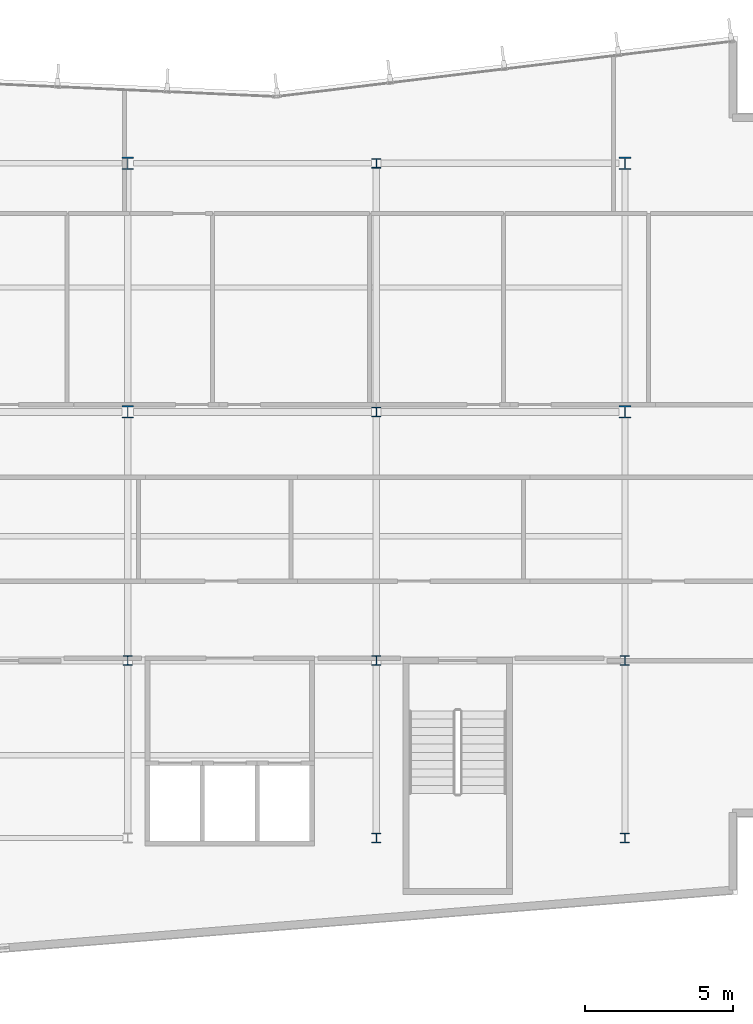
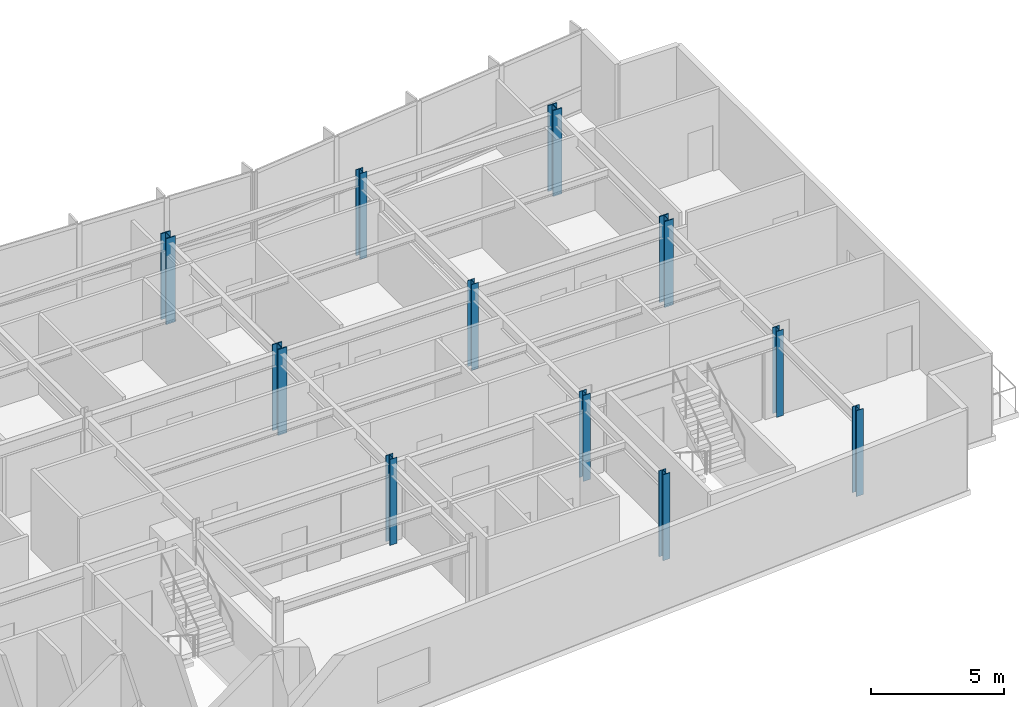
# One storey, part 2 of 17: 11 columns.
"""IFC4 building model written with IfcOpenShell, lengths in metres."""

from ifc_helpers import new_model, si_unit, direction, frame, origin, origin_2d, place, context, subcontext, project, spatial, i_section, extrude, material, material_profile, profile_set, type_object, element, save


model = new_model("IFC4")

# Units and contexts
model_context = context("Model", 3, precision=1e-05, world=origin(), true_north=direction((0.0, 1.0)))
body_context = subcontext(model_context, "Body", "Model", "MODEL_VIEW")
ifc_project = project(units=[si_unit("LENGTHUNIT", "METRE"), si_unit("AREAUNIT", "SQUARE_METRE"), si_unit("VOLUMEUNIT", "CUBIC_METRE"), si_unit("PLANEANGLEUNIT", "RADIAN"), si_unit("MASSUNIT", "GRAM", prefix="KILO")], contexts=[model_context])

# Site, building, storey
site_placement = place(None, origin())
site = spatial("IfcSite", under=ifc_project, at=site_placement, CompositionType="ELEMENT")
building_placement = place(site_placement, origin())
building = spatial("IfcBuilding", under=site, at=building_placement, Name="Varnakote Quay Hospital", CompositionType="ELEMENT")
storey_placement = place(building_placement, frame((0.0, 0.0, 131.0)))
storey = spatial("IfcBuildingStorey", under=building, at=storey_placement, Name="L32", CompositionType="ELEMENT", Elevation=131.0)

# Columns
ifc_material_1 = material(Name="Structural steel AS/NZS 3679.1 Grade 350 L0 (fy 340 MPa)", Category="steel")
ifc_material_profile_1 = material_profile(ifc_material_1, i_section(OverallWidth=0.30908203125, OverallDepth=0.321044921875, WebThickness=0.013916015625, FlangeThickness=0.021728515625, FilletRadius=0.0166015625, at=origin_2d()), Name="310UC137")
ifc_profile_set_1 = profile_set([ifc_material_profile_1], Name="Structural steel AS/NZS 3679.1 Grade 350 L0 (fy 340 MPa)")
column_type_1 = type_object("IfcColumnType", Name="COL-STL-310UC137", PredefinedType="COLUMN", material=ifc_profile_set_1)
for number, where, z_axis, x_axis, name in (
    (1, (42.0, 6.0, 0.0), (0.0, 0.0, 1.0), (1.0, 0.0, 0.0), "L32 Structural Column C-42-6"),
    (2, (50.39990234375, 6.0, 0.0), (0.0, 0.0, 1.0), (1.0, 0.0, 0.0), "L32 Structural Column C-50-6"),
    (3, (33.60009765625, 12.0, 0.0), (0.0, 0.0, 1.0), (1.0, 0.0, 0.0), "L32 Structural Column C-34-12"),
    (4, (42.0, 12.0, 0.0), (0.0, 0.0, 1.0), (1.0, 0.0, 0.0), "L32 Structural Column C-42-12"),
    (5, (50.39990234375, 12.0, 0.0), (0.0, 0.0, 1.0), (1.0, 0.0, 0.0), "L32 Structural Column C-50-12"),
    (6, (42.0, 20.39990234375, 0.0), (0.0, 0.0, 1.0), (1.0, 0.0, 0.0), "L32 Structural Column C-42-20"),
    (7, (42.0, 28.800048828125, 0.0), (0.0, 0.0, 1.0), (1.0, 0.0, 0.0), "L32 Structural Column C-42-29"),
):
    element("IfcColumn", number, at=place(storey_placement, frame(where, z_axis=z_axis, x_axis=x_axis)), inside=storey, type_object=column_type_1, Name=name, PredefinedType="COLUMN", context=body_context, shape_type="SweptSolid", body=[
        extrude(i_section(OverallWidth=0.30908203125, OverallDepth=0.321044921875, WebThickness=0.013916015625, FlangeThickness=0.021728515625, FilletRadius=0.0166015625, at=origin_2d()), origin(), (0.0, 0.0, 1.0), 3.949951171875),
    ])
ifc_material_2 = material(Name="Structural steel AS/NZS 3678 Grade 350 (fy 340 MPa)", Category="steel")
ifc_material_profile_2 = material_profile(ifc_material_2, i_section(OverallWidth=0.39990234375, OverallDepth=0.419921875, WebThickness=0.02490234375, FlangeThickness=0.0400390625, at=origin_2d()), Name="400WC328")
ifc_profile_set_2 = profile_set([ifc_material_profile_2], Name="Structural steel AS/NZS 3678 Grade 350 (fy 340 MPa)")
column_type_2 = type_object("IfcColumnType", Name="COL-STL-400WC328", PredefinedType="COLUMN", material=ifc_profile_set_2)
for number, where, z_axis, x_axis, name in (
    (8, (33.60009765625, 20.39990234375, 0.0), (0.0, 0.0, 1.0), (1.0, 0.0, 0.0), "L32 Structural Column C-34-20"),
    (9, (50.39990234375, 20.39990234375, 0.0), (0.0, 0.0, 1.0), (1.0, 0.0, 0.0), "L32 Structural Column C-50-20"),
    (10, (33.60009765625, 28.800048828125, 0.0), (0.0, 0.0, 1.0), (1.0, 0.0, 0.0), "L32 Structural Column C-34-29"),
    (11, (50.39990234375, 28.800048828125, 0.0), (0.0, 0.0, 1.0), (1.0, 0.0, 0.0), "L32 Structural Column C-50-29"),
):
    element("IfcColumn", number, at=place(storey_placement, frame(where, z_axis=z_axis, x_axis=x_axis)), inside=storey, type_object=column_type_2, Name=name, PredefinedType="COLUMN", context=body_context, shape_type="SweptSolid", body=[
        extrude(i_section(OverallWidth=0.39990234375, OverallDepth=0.419921875, WebThickness=0.02490234375, FlangeThickness=0.0400390625, at=origin_2d()), origin(), (0.0, 0.0, 1.0), 3.949951171875),
    ])

save(model, "model.ifc")
